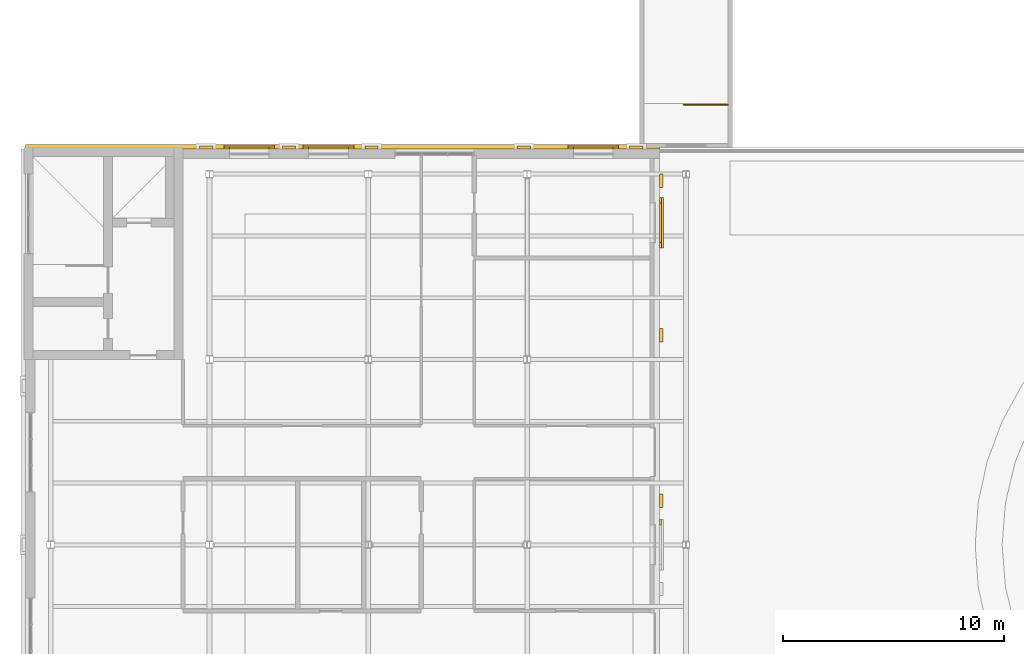
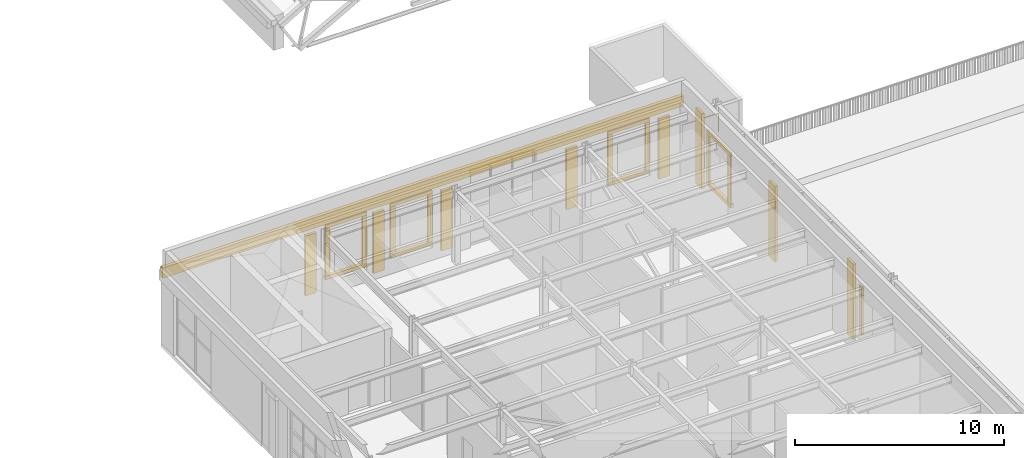
# One storey, part 121 of 127: 26 coverings, 1 railing.
"""IFC4 building model written with IfcOpenShell, lengths in metres."""

from ifc_helpers import new_model, si_unit, direction, frame, origin, origin_2d, place, context, subcontext, project, spatial, rectangle, circle, extrude, material, layer, layer_set, type_object, element, save


model = new_model("IFC4")

# Units and contexts
model_context = context("Model", 3, precision=1e-05, world=origin(), true_north=direction((0.0, 1.0)))
body_context = subcontext(model_context, "Body", "Model", "MODEL_VIEW")
ifc_project = project(units=[si_unit("LENGTHUNIT", "METRE"), si_unit("AREAUNIT", "SQUARE_METRE"), si_unit("VOLUMEUNIT", "CUBIC_METRE"), si_unit("PLANEANGLEUNIT", "RADIAN"), si_unit("MASSUNIT", "GRAM", prefix="KILO")], contexts=[model_context])

# Site, building, storey
site_placement = place(None, origin())
site = spatial("IfcSite", under=ifc_project, at=site_placement, CompositionType="ELEMENT")
building_placement = place(site_placement, origin())
building = spatial("IfcBuilding", under=site, at=building_placement, Name="Verrick Yard Athletic Hall", CompositionType="ELEMENT")
storey_placement = place(building_placement, frame((0.0, 0.0, 14.0)))
storey = spatial("IfcBuildingStorey", under=building, at=storey_placement, Name="L03", CompositionType="ELEMENT", Elevation=14.0)

# Railing
ifc_material_1 = material(Name="Stainless steel", Category="steel")
railing_type = type_object("IfcRailingType", Name="Stair and core guard 1100", PredefinedType="GUARDRAIL", material=ifc_material_1)
railing_placement = place(storey_placement, frame((41.89990234375, 55.949951171875, 0.0)))
element("IfcRailing", 1, at=railing_placement, inside=storey, type_object=railing_type, Name="L03 North deck escape 1 top well guard 1", PredefinedType="GUARDRAIL", context=body_context, shape_type="SweptSolid", body=[
    extrude(circle(Radius=0.02392578125, at=origin_2d()), frame((0.0, 0.0, 1.076171875), z_axis=(-1.0, 0.0, 0.0), x_axis=(0.0, -1.0, 0.0)), (0.0, 0.0, 1.0), 2.0),
    extrude(circle(Radius=0.02099609375, at=origin_2d()), origin(), (0.0, 0.0, 1.0), 1.052001953125),
    extrude(circle(Radius=0.02099609375, at=origin_2d()), frame((-1.0, 0.0, 0.0)), (0.0, 0.0, 1.0), 1.052001953125),
    extrude(circle(Radius=0.02099609375, at=origin_2d()), frame((-2.0, 0.0, 0.0)), (0.0, 0.0, 1.0), 1.052001953125),
])

# Coverings
ifc_material_2 = material(Name="Tyndall-stone-look precast cladding", Category="masonry")
ifc_layer_1 = layer(ifc_material_2, 0.125)
ifc_layer_set_1 = layer_set([ifc_layer_1], Name="Stone cladding")
covering_type_1 = type_object("IfcCoveringType", Name="Stone cladding", PredefinedType="CLADDING", material=ifc_layer_set_1)
for number, where, z_axis, x_axis, name in (
    (2, (18.25, 54.012451171875, 0.0), (0.0, 0.0, 1.0), (1.0, 0.0, 0.0), "Wing pilaster"),
    (3, (22.0, 54.012451171875, 0.0), (0.0, 0.0, 1.0), (1.0, 0.0, 0.0), "Wing pilaster"),
    (4, (25.75, 54.012451171875, 0.0), (0.0, 0.0, 1.0), (1.0, 0.0, 0.0), "Wing pilaster"),
    (5, (32.64990234375, 54.012451171875, 0.0), (0.0, 0.0, 1.0), (1.0, 0.0, 0.0), "Wing pilaster"),
    (6, (37.75, 54.012451171875, 0.0), (0.0, 0.0, 1.0), (1.0, 0.0, 0.0), "Wing pilaster"),
):
    element("IfcCovering", number, at=place(storey_placement, frame(where, z_axis=z_axis, x_axis=x_axis)), inside=storey, type_object=covering_type_1, Name=name, PredefinedType="CLADDING", context=body_context, shape_type="SweptSolid", body=[
        extrude(rectangle(XDim=0.60009765625, YDim=0.14990234375, at=origin_2d()), origin(), (0.0, 0.0, 1.0), 3.5),
    ])
for number, where, z_axis, x_axis, name in (
    (7, (38.875, 38.0, 0.0), (0.0, 0.0, 1.0), (0.0, 1.0, 0.0), "Wing pilaster"),
    (8, (38.875, 45.5, 0.0), (0.0, 0.0, 1.0), (0.0, 1.0, 0.0), "Wing pilaster"),
    (9, (38.875, 52.5, 0.0), (0.0, 0.0, 1.0), (0.0, 1.0, 0.0), "Wing pilaster"),
):
    element("IfcCovering", number, at=place(storey_placement, frame(where, z_axis=z_axis, x_axis=x_axis)), inside=storey, type_object=covering_type_1, Name=name, PredefinedType="CLADDING", context=body_context, shape_type="SweptSolid", body=[
        extrude(rectangle(XDim=0.60009765625, YDim=0.14990234375, at=origin_2d()), origin(), (0.0, 0.0, 1.0), 4.39990234375),
    ])
ifc_layer_2 = layer(ifc_material_2, 0.25)
ifc_layer_set_2 = layer_set([ifc_layer_2], Name="Stone moulding")
covering_type_2 = type_object("IfcCoveringType", Name="Stone moulding", PredefinedType="MOLDING", material=ifc_layer_set_2)
covering_1_placement = place(storey_placement, frame((24.43115234375, 54.03759765625, 3.800048828125), z_axis=(0.0, 0.0, 1.0), x_axis=(1.0, 0.0, 0.0)))
element("IfcCovering", 10, at=covering_1_placement, inside=storey, type_object=covering_type_2, Name="Wing cornice N", PredefinedType="MOLDING", context=body_context, shape_type="SweptSolid", body=[
    extrude(rectangle(XDim=28.737548828125, YDim=0.199951171875, at=origin_2d()), origin(), (0.0, 0.0, 1.0), 0.60009765625),
])
covering_2_placement = place(storey_placement, frame((20.199951171875, 54.027587890625, 0.5498046875), z_axis=(0.0, 0.0, 1.0), x_axis=(1.0, 0.0, 0.0)))
element("IfcCovering", 11, at=covering_2_placement, inside=storey, type_object=covering_type_2, Name="Window sill", PredefinedType="MOLDING", context=body_context, shape_type="SweptSolid", body=[
    extrude(rectangle(XDim=2.300048828125, YDim=0.179931640625, at=origin_2d()), origin(), (0.0, 0.0, 1.0), 0.199951171875),
])
covering_3_placement = place(storey_placement, frame((20.199951171875, 53.987548828125, 3.5498046875), z_axis=(0.0, 0.0, 1.0), x_axis=(1.0, 0.0, 0.0)))
element("IfcCovering", 12, at=covering_3_placement, inside=storey, type_object=covering_type_2, Name="Window head", PredefinedType="MOLDING", context=body_context, shape_type="SweptSolid", body=[
    extrude(rectangle(XDim=2.300048828125, YDim=0.10009765625, at=origin_2d()), origin(), (0.0, 0.0, 1.0), 0.199951171875),
])
for number, where, z_axis, x_axis, name in (
    (13, (19.175048828125, 53.987548828125, 0.75), (0.0, 0.0, 1.0), (1.0, 0.0, 0.0), "Window jamb"),
    (14, (21.22509765625, 53.987548828125, 0.75), (0.0, 0.0, 1.0), (1.0, 0.0, 0.0), "Window jamb"),
):
    element("IfcCovering", number, at=place(storey_placement, frame(where, z_axis=z_axis, x_axis=x_axis)), inside=storey, type_object=covering_type_2, Name=name, PredefinedType="MOLDING", context=body_context, shape_type="SweptSolid", body=[
        extrude(rectangle(XDim=0.25, YDim=0.10009765625, at=origin_2d()), origin(), (0.0, 0.0, 1.0), 2.800048828125),
    ])
covering_4_placement = place(storey_placement, frame((23.800048828125, 54.027587890625, 0.5498046875), z_axis=(0.0, 0.0, 1.0), x_axis=(1.0, 0.0, 0.0)))
element("IfcCovering", 15, at=covering_4_placement, inside=storey, type_object=covering_type_2, Name="Window sill", PredefinedType="MOLDING", context=body_context, shape_type="SweptSolid", body=[
    extrude(rectangle(XDim=2.300048828125, YDim=0.179931640625, at=origin_2d()), origin(), (0.0, 0.0, 1.0), 0.199951171875),
])
covering_5_placement = place(storey_placement, frame((23.800048828125, 53.987548828125, 3.5498046875), z_axis=(0.0, 0.0, 1.0), x_axis=(1.0, 0.0, 0.0)))
element("IfcCovering", 16, at=covering_5_placement, inside=storey, type_object=covering_type_2, Name="Window head", PredefinedType="MOLDING", context=body_context, shape_type="SweptSolid", body=[
    extrude(rectangle(XDim=2.300048828125, YDim=0.10009765625, at=origin_2d()), origin(), (0.0, 0.0, 1.0), 0.199951171875),
])
for number, where, z_axis, x_axis, name in (
    (17, (22.77490234375, 53.987548828125, 0.75), (0.0, 0.0, 1.0), (1.0, 0.0, 0.0), "Window jamb"),
    (18, (24.824951171875, 53.987548828125, 0.75), (0.0, 0.0, 1.0), (1.0, 0.0, 0.0), "Window jamb"),
):
    element("IfcCovering", number, at=place(storey_placement, frame(where, z_axis=z_axis, x_axis=x_axis)), inside=storey, type_object=covering_type_2, Name=name, PredefinedType="MOLDING", context=body_context, shape_type="SweptSolid", body=[
        extrude(rectangle(XDim=0.25, YDim=0.10009765625, at=origin_2d()), origin(), (0.0, 0.0, 1.0), 2.800048828125),
    ])
covering_6_placement = place(storey_placement, frame((35.800048828125, 54.027587890625, 0.5498046875), z_axis=(0.0, 0.0, 1.0), x_axis=(1.0, 0.0, 0.0)))
element("IfcCovering", 19, at=covering_6_placement, inside=storey, type_object=covering_type_2, Name="Window sill", PredefinedType="MOLDING", context=body_context, shape_type="SweptSolid", body=[
    extrude(rectangle(XDim=2.300048828125, YDim=0.179931640625, at=origin_2d()), origin(), (0.0, 0.0, 1.0), 0.199951171875),
])
covering_7_placement = place(storey_placement, frame((35.800048828125, 53.987548828125, 3.5498046875), z_axis=(0.0, 0.0, 1.0), x_axis=(1.0, 0.0, 0.0)))
element("IfcCovering", 20, at=covering_7_placement, inside=storey, type_object=covering_type_2, Name="Window head", PredefinedType="MOLDING", context=body_context, shape_type="SweptSolid", body=[
    extrude(rectangle(XDim=2.300048828125, YDim=0.10009765625, at=origin_2d()), origin(), (0.0, 0.0, 1.0), 0.199951171875),
])
for number, where, z_axis, x_axis, name in (
    (21, (34.77490234375, 53.987548828125, 0.75), (0.0, 0.0, 1.0), (1.0, 0.0, 0.0), "Window jamb"),
    (22, (36.824951171875, 53.987548828125, 0.75), (0.0, 0.0, 1.0), (1.0, 0.0, 0.0), "Window jamb"),
    (23, (38.85009765625, 37.02490234375, 0.75), (0.0, 0.0, 1.0), (0.0, 1.0, 0.0), "Window jamb"),
):
    element("IfcCovering", number, at=place(storey_placement, frame(where, z_axis=z_axis, x_axis=x_axis)), inside=storey, type_object=covering_type_2, Name=name, PredefinedType="MOLDING", context=body_context, shape_type="SweptSolid", body=[
        extrude(rectangle(XDim=0.25, YDim=0.10009765625, at=origin_2d()), origin(), (0.0, 0.0, 1.0), 2.800048828125),
    ])
covering_8_placement = place(storey_placement, frame((38.889892578125, 50.60009765625, 0.5498046875), z_axis=(0.0, 0.0, 1.0), x_axis=(0.0, 1.0, 0.0)))
element("IfcCovering", 24, at=covering_8_placement, inside=storey, type_object=covering_type_2, Name="Window sill", PredefinedType="MOLDING", context=body_context, shape_type="SweptSolid", body=[
    extrude(rectangle(XDim=2.300048828125, YDim=0.179931640625, at=origin_2d()), origin(), (0.0, 0.0, 1.0), 0.199951171875),
])
covering_9_placement = place(storey_placement, frame((38.85009765625, 50.60009765625, 3.5498046875), z_axis=(0.0, 0.0, 1.0), x_axis=(0.0, 1.0, 0.0)))
element("IfcCovering", 25, at=covering_9_placement, inside=storey, type_object=covering_type_2, Name="Window head", PredefinedType="MOLDING", context=body_context, shape_type="SweptSolid", body=[
    extrude(rectangle(XDim=2.300048828125, YDim=0.10009765625, at=origin_2d()), origin(), (0.0, 0.0, 1.0), 0.199951171875),
])
for number, where, z_axis, x_axis, name in (
    (26, (38.85009765625, 49.574951171875, 0.75), (0.0, 0.0, 1.0), (0.0, 1.0, 0.0), "Window jamb"),
    (27, (38.85009765625, 51.625, 0.75), (0.0, 0.0, 1.0), (0.0, 1.0, 0.0), "Window jamb"),
):
    element("IfcCovering", number, at=place(storey_placement, frame(where, z_axis=z_axis, x_axis=x_axis)), inside=storey, type_object=covering_type_2, Name=name, PredefinedType="MOLDING", context=body_context, shape_type="SweptSolid", body=[
        extrude(rectangle(XDim=0.25, YDim=0.10009765625, at=origin_2d()), origin(), (0.0, 0.0, 1.0), 2.800048828125),
    ])

save(model, "model.ifc")
